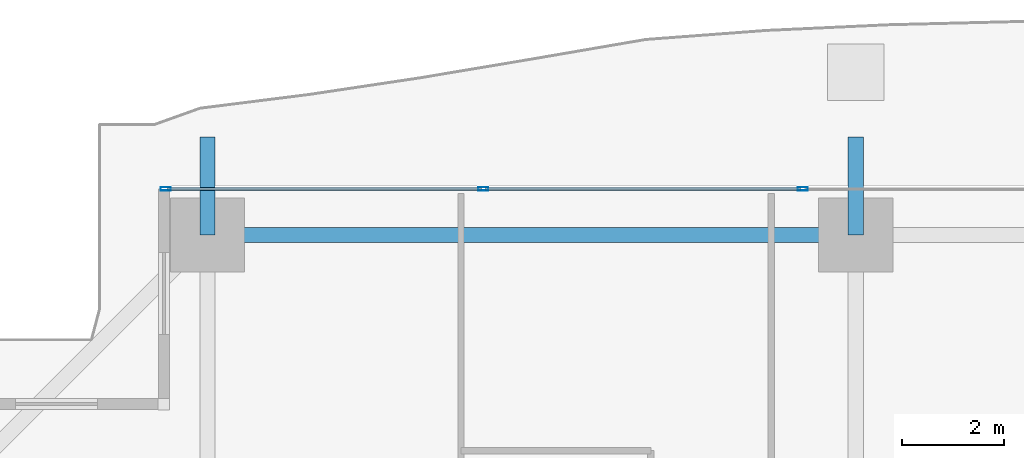
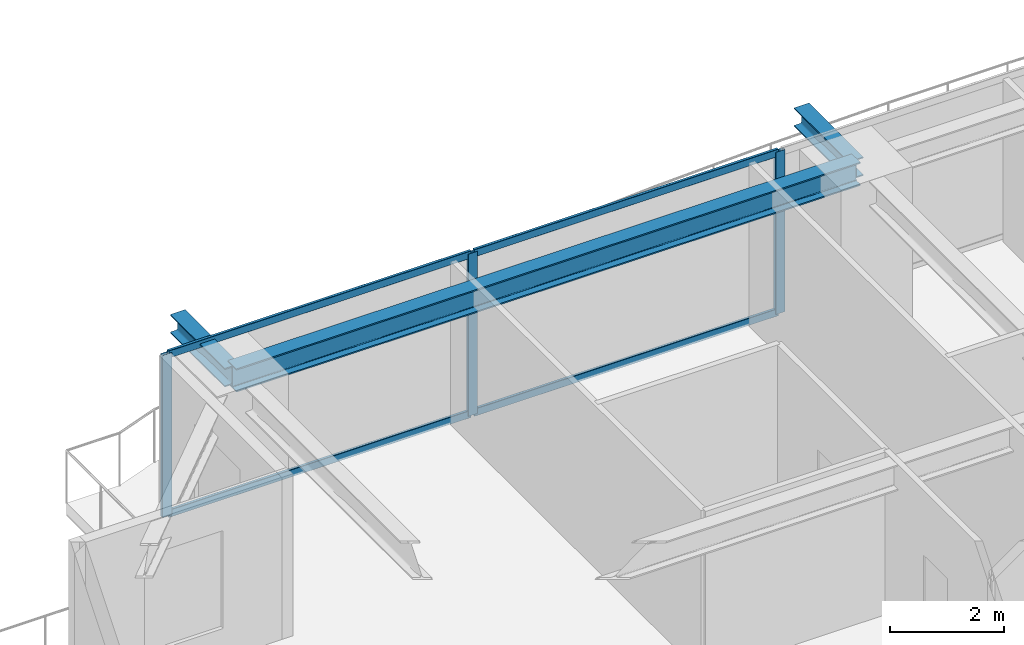
# One storey, part 17 of 35: 7 members, 3 beams, 1 element without a shape of its own.
"""IFC4 building model written with IfcOpenShell, lengths in metres."""

from ifc_helpers import new_model, si_unit, direction, frame, origin, origin_2d, place, context, subcontext, project, spatial, hollow_rectangle, i_section, extrude, source, transform, mapped, material, layer, layer_set, material_profile, profile_set, type_object, element, aggregate, save


model = new_model("IFC4")

# Units and contexts
model_context = context("Model", 3, precision=1e-05, world=origin(), true_north=direction((0.0, 1.0)))
body_context = subcontext(model_context, "Body", "Model", "MODEL_VIEW")
ifc_project = project(units=[si_unit("LENGTHUNIT", "METRE"), si_unit("AREAUNIT", "SQUARE_METRE"), si_unit("VOLUMEUNIT", "CUBIC_METRE"), si_unit("PLANEANGLEUNIT", "RADIAN"), si_unit("MASSUNIT", "GRAM", prefix="KILO")], contexts=[model_context])

# Site, building, storey
site_placement = place(None, origin())
site = spatial("IfcSite", under=ifc_project, at=site_placement, CompositionType="ELEMENT")
building_placement = place(site_placement, origin())
building = spatial("IfcBuilding", under=site, at=building_placement, Name="Serunith Strait Residences", CompositionType="ELEMENT")
storey_placement = place(building_placement, frame((0.0, 0.0, 56.699951171875)))
storey = spatial("IfcBuildingStorey", under=building, at=storey_placement, Name="L13", CompositionType="ELEMENT", Elevation=56.699951171875)

# Beams
ifc_material_1 = material(Name="Steel S355J2", Category="steel")
ifc_material_profile_1 = material_profile(ifc_material_1, i_section(OverallWidth=0.300048828125, OverallDepth=0.5, WebThickness=0.014404296875, FlangeThickness=0.028076171875, FilletRadius=0.027099609375, at=origin_2d()), Name="HEB 500")
ifc_profile_set_1 = profile_set([ifc_material_profile_1], Name="Steel S355J2")
beam_type_1 = type_object("IfcBeamType", Name="BM-HEB500", PredefinedType="BEAM", material=ifc_profile_set_1)
shared_shape_1 = source(origin(), body_context, "Body", "SweptSolid", [
    extrude(i_section(OverallWidth=0.300048828125, OverallDepth=0.5, WebThickness=0.014404296875, FlangeThickness=0.028076171875, FilletRadius=0.027099609375, at=origin_2d()), origin(), (0.0, 0.0, 1.0), 12.64990234375),
])
beam_placement = place(storey_placement, frame((27.89990234375, 49.300048828125, 3.237060546875), z_axis=(-1.0, 0.0, 0.0), x_axis=(0.0, -1.0, 0.0)))
element("IfcBeam", 1, at=beam_placement, inside=storey, type_object=beam_type_1, Name="L13 Perimeter Ring Beam 11", PredefinedType="BEAM", context=body_context, shape_type="MappedRepresentation", body=[
    mapped(shared_shape_1, transform((0.0, 0.0, 0.0), scale=1.0)),
])
ifc_material_profile_2 = material_profile(ifc_material_1, i_section(OverallWidth=0.300048828125, OverallDepth=0.39990234375, WebThickness=0.013427734375, FlangeThickness=0.02392578125, FilletRadius=0.027099609375, at=origin_2d()), Name="HEB 400")
ifc_profile_set_2 = profile_set([ifc_material_profile_2], Name="Steel S355J2")
beam_type_2 = type_object("IfcBeamType", Name="BM-HEB400", PredefinedType="BEAM", material=ifc_profile_set_2)
shared_shape_2 = source(origin(), body_context, "Body", "SweptSolid", [
    extrude(i_section(OverallWidth=0.300048828125, OverallDepth=0.39990234375, WebThickness=0.013427734375, FlangeThickness=0.02392578125, FilletRadius=0.027099609375, at=origin_2d()), origin(), (0.0, 0.0, 1.0), 1.909912109375),
])
for number, where, z_axis, x_axis, name in (
    (2, (15.25, 49.300048828125, 3.257080078125), (0.0, 1.0, 0.0), (-1.0, 0.0, 0.0), "L14 Cantilevered Balcony Rib TC-N1"),
    (3, (27.89990234375, 49.300048828125, 3.257080078125), (0.0, 1.0, 0.0), (-1.0, 0.0, 0.0), "L14 Cantilevered Balcony Rib TC-N2"),
):
    element("IfcBeam", number, at=place(storey_placement, frame(where, z_axis=z_axis, x_axis=x_axis)), inside=storey, type_object=beam_type_2, Name=name, PredefinedType="BEAM", context=body_context, shape_type="MappedRepresentation", body=[
        mapped(shared_shape_2, transform((0.0, 0.0, 0.0), scale=1.0)),
    ])

# Curtain wall, members
ifc_material_2 = material(Name="Pale-Champagne Anodised Aluminium", Category="aluminium")
ifc_layer = layer(ifc_material_2, 0.199951171875, Name="Pale-Champagne Anodised Aluminium")
ifc_layer_set = layer_set([ifc_layer], Name="Pale-Champagne Anodised Aluminium")
curtain_wall_type = type_object("IfcCurtainWallType", Name="CW-SYS1", PredefinedType="NOTDEFINED", material=ifc_layer_set)
curtain_wall_placement = place(storey_placement, origin())
curtain_wall = element("IfcCurtainWall", 4, at=curtain_wall_placement, inside=storey, type_object=curtain_wall_type, Name="L13 N Unitised Fritted Curtain Wall", PredefinedType="NOTDEFINED")
ifc_material_profile_3 = material_profile(ifc_material_2, hollow_rectangle(XDim=0.070068359375, YDim=0.199951171875, WallThickness=0.00390625, InnerFilletRadius=0.006103515625, OuterFilletRadius=0.010009765625, at=origin_2d()), Name="ALU 200x70x4")
ifc_profile_set_3 = profile_set([ifc_material_profile_3], Name="Pale-Champagne Anodised Aluminium")
member_type_1 = type_object("IfcMemberType", Name="CW-SYS1-MULL", PredefinedType="MULLION", material=ifc_profile_set_3)
shared_shape_3 = source(origin(), body_context, "Body", "SweptSolid", [
    extrude(hollow_rectangle(XDim=0.070068359375, YDim=0.199951171875, WallThickness=0.00390625, InnerFilletRadius=0.006103515625, OuterFilletRadius=0.010009765625, at=origin_2d()), origin(), (0.0, 0.0, 1.0), 3.47509765625),
])
member_1_placement = place(storey_placement, frame((26.86669921875, 50.199951171875, 0.0), z_axis=(0.0, 0.0, 1.0), x_axis=(0.0, -1.0, 0.0)))
member_1 = element("IfcMember", 5, at=member_1_placement, type_object=member_type_1, Name="CW-1 mullion 2", PredefinedType="MULLION", context=body_context, shape_type="MappedRepresentation", body=[
    mapped(shared_shape_3, transform((0.0, 0.0, 0.0), scale=1.0)),
])
member_2_placement = place(storey_placement, frame((20.63330078125, 50.199951171875, 0.0), z_axis=(0.0, 0.0, 1.0), x_axis=(0.0, -1.0, 0.0)))
member_2 = element("IfcMember", 6, at=member_2_placement, type_object=member_type_1, Name="CW-1 mullion 3", PredefinedType="MULLION", context=body_context, shape_type="MappedRepresentation", body=[
    mapped(shared_shape_3, transform((0.0, 0.0, 0.0), scale=1.0)),
])
member_3_placement = place(storey_placement, frame((14.43505859375, 50.199951171875, 0.0), z_axis=(0.0, 0.0, 1.0), x_axis=(0.0, -1.0, 0.0)))
member_3 = element("IfcMember", 7, at=member_3_placement, type_object=member_type_1, Name="CW-1 mullion 4", PredefinedType="MULLION", context=body_context, shape_type="MappedRepresentation", body=[
    mapped(shared_shape_3, transform((0.0, 0.0, 0.0), scale=1.0)),
])
ifc_material_profile_4 = material_profile(ifc_material_2, hollow_rectangle(XDim=0.06005859375, YDim=0.159912109375, WallThickness=0.00341796875, InnerFilletRadius=0.00537109375, OuterFilletRadius=0.0087890625, at=origin_2d()), Name="ALU 160x60x3.5")
ifc_profile_set_4 = profile_set([ifc_material_profile_4], Name="Pale-Champagne Anodised Aluminium")
member_type_2 = type_object("IfcMemberType", Name="CW-SYS1-TRAN", PredefinedType="USERDEFINED", material=ifc_profile_set_4)
shared_shape_4 = source(origin(), body_context, "Body", "SweptSolid", [
    extrude(hollow_rectangle(XDim=0.06005859375, YDim=0.159912109375, WallThickness=0.00341796875, InnerFilletRadius=0.00537109375, OuterFilletRadius=0.0087890625, at=origin_2d()), origin(), (0.0, 0.0, 1.0), 6.12841796875),
])
member_4_placement = place(storey_placement, frame((20.598388671875, 50.199951171875, 0.030029296875), z_axis=(-1.0, 0.0, 0.0), x_axis=(0.0, -1.0, 0.0)))
member_4 = element("IfcMember", 8, at=member_4_placement, type_object=member_type_2, Name="CW-1 transom 3.1", ObjectType="TRANSOM", PredefinedType="USERDEFINED", context=body_context, shape_type="MappedRepresentation", body=[
    mapped(shared_shape_4, transform((0.0, 0.0, 0.0), scale=1.0)),
])
member_5_placement = place(storey_placement, frame((20.598388671875, 50.199951171875, 3.445068359375), z_axis=(-1.0, 0.0, 0.0), x_axis=(0.0, -1.0, 0.0)))
member_5 = element("IfcMember", 9, at=member_5_placement, type_object=member_type_2, Name="CW-1 transom 3.2", ObjectType="TRANSOM", PredefinedType="USERDEFINED", context=body_context, shape_type="MappedRepresentation", body=[
    mapped(shared_shape_4, transform((0.0, 0.0, 0.0), scale=1.0)),
])
shared_shape_5 = source(origin(), body_context, "Body", "SweptSolid", [
    extrude(hollow_rectangle(XDim=0.06005859375, YDim=0.159912109375, WallThickness=0.00341796875, InnerFilletRadius=0.00537109375, OuterFilletRadius=0.0087890625, at=origin_2d()), origin(), (0.0, 0.0, 1.0), 6.16357421875),
])
member_6_placement = place(storey_placement, frame((26.831787109375, 50.199951171875, 0.030029296875), z_axis=(-1.0, 0.0, 0.0), x_axis=(0.0, -1.0, 0.0)))
member_6 = element("IfcMember", 10, at=member_6_placement, type_object=member_type_2, Name="CW-1 transom 2.1", ObjectType="TRANSOM", PredefinedType="USERDEFINED", context=body_context, shape_type="MappedRepresentation", body=[
    mapped(shared_shape_5, transform((0.0, 0.0, 0.0), scale=1.0)),
])
member_7_placement = place(storey_placement, frame((26.831787109375, 50.199951171875, 3.445068359375), z_axis=(-1.0, 0.0, 0.0), x_axis=(0.0, -1.0, 0.0)))
member_7 = element("IfcMember", 11, at=member_7_placement, type_object=member_type_2, Name="CW-1 transom 2.2", ObjectType="TRANSOM", PredefinedType="USERDEFINED", context=body_context, shape_type="MappedRepresentation", body=[
    mapped(shared_shape_5, transform((0.0, 0.0, 0.0), scale=1.0)),
])
aggregate(curtain_wall, [member_1, member_2, member_3, member_6, member_7, member_4, member_5])

save(model, "model.ifc")
